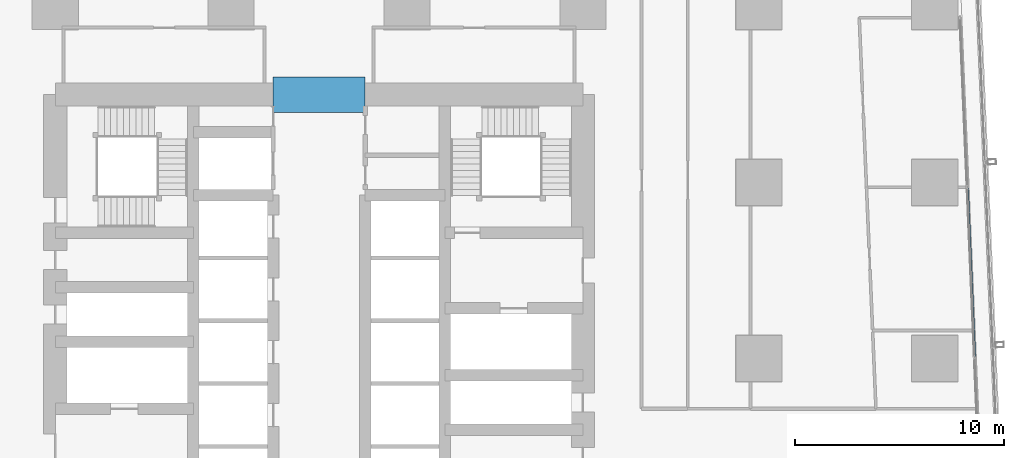
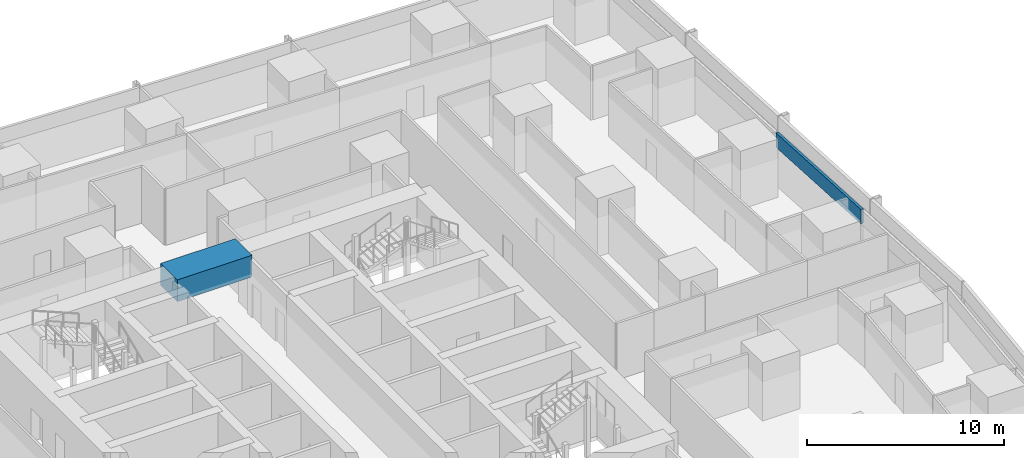
# One storey, part 19 of 44: 1 beam, 1 member, 1 element without a shape of its own.
"""IFC4 building model written with IfcOpenShell, lengths in metres."""

from ifc_helpers import new_model, si_unit, direction, frame, origin, origin_2d, place, context, subcontext, project, spatial, rectangle, hollow_rectangle, extrude, material, material_profile, profile_set, type_object, element, aggregate, save


model = new_model("IFC4")

# Units and contexts
model_context = context("Model", 3, precision=1e-05, world=origin(), true_north=direction((0.0, 1.0)))
body_context = subcontext(model_context, "Body", "Model", "MODEL_VIEW")
ifc_project = project(units=[si_unit("LENGTHUNIT", "METRE"), si_unit("AREAUNIT", "SQUARE_METRE"), si_unit("VOLUMEUNIT", "CUBIC_METRE"), si_unit("PLANEANGLEUNIT", "RADIAN"), si_unit("MASSUNIT", "GRAM", prefix="KILO")], contexts=[model_context])

# Site, building, storey
site_placement = place(None, origin())
site = spatial("IfcSite", under=ifc_project, at=site_placement, CompositionType="ELEMENT")
building_placement = place(site_placement, origin())
building = spatial("IfcBuilding", under=site, at=building_placement, Name="Rekha Terrace Tower", CompositionType="ELEMENT")
storey_placement = place(building_placement, frame((0.0, 0.0, 47.89990234375)))
storey = spatial("IfcBuildingStorey", under=building, at=storey_placement, Name="L11", CompositionType="ELEMENT", Elevation=47.89990234375)

# Curtain wall, member
ifc_material_1 = material(Name="Aluminium framing", Category="aluminium")
curtain_wall_type = type_object("IfcCurtainWallType", Name="CW1 double skin inner glazing", PredefinedType="USERDEFINED", material=ifc_material_1)
curtain_wall_placement = place(storey_placement, origin())
curtain_wall = element("IfcCurtainWall", 1, at=curtain_wall_placement, inside=storey, type_object=curtain_wall_type, Name="CW1 double skin inner glazing", ObjectType="DOUBLE SKIN INNER GLAZING", PredefinedType="USERDEFINED")
ifc_material_2 = material(Name="Insulated aluminium spandrel box", Category="aluminium")
ifc_material_profile_1 = material_profile(ifc_material_2, hollow_rectangle(XDim=0.14990234375, YDim=0.89990234375, WallThickness=0.0029296875, at=origin_2d()), Name="AL SPANDREL BOX 150x900")
ifc_profile_set_1 = profile_set([ifc_material_profile_1], Name="Insulated aluminium spandrel box")
member_type = type_object("IfcMemberType", Name="CW1 spandrel transom 150 x 900", PredefinedType="USERDEFINED", material=ifc_profile_set_1)
member_placement = place(storey_placement, frame((69.08935546875, 33.682861328125, 3.050048828125), z_axis=(-0.042698394831, 0.999088007674, 0.0), x_axis=(-0.999088007674, -0.042698394831, 0.0)))
member = element("IfcMember", 2, at=member_placement, type_object=member_type, Name="CW1 spandrel transom 2", ObjectType="TRANSOM", PredefinedType="USERDEFINED", context=body_context, shape_type="SweptSolid", body=[
    extrude(hollow_rectangle(XDim=0.14990234375, YDim=0.89990234375, WallThickness=0.0029296875, at=origin_2d()), origin(), (0.0, 0.0, 1.0), 8.073486328125),
])
aggregate(curtain_wall, [member])

# Beam
ifc_material_3 = material(Name="Concrete M70", Category="concrete")
ifc_material_profile_2 = material_profile(ifc_material_3, rectangle(XDim=1.699951171875, YDim=1.35009765625, at=origin_2d()), Name="RC 1700x1350")
ifc_profile_set_2 = profile_set([ifc_material_profile_2], Name="Concrete M70")
beam_type = type_object("IfcBeamType", Name="LB1A 1700x1350 diagonally reinforced coupling beam", PredefinedType="LINTEL", material=ifc_profile_set_2)
beam_placement = place(storey_placement, frame((35.60009765625, 46.199951171875, 3.0751953125), z_axis=(1.0, 0.0, 0.0), x_axis=(0.0, 1.0, 0.0)))
element("IfcBeam", 3, at=beam_placement, inside=storey, type_object=beam_type, Name="Coupling beam LB1A N L11", PredefinedType="LINTEL", context=body_context, shape_type="SweptSolid", body=[
    extrude(rectangle(XDim=1.699951171875, YDim=1.35009765625, at=origin_2d()), origin(), (0.0, 0.0, 1.0), 4.39990234375),
])

save(model, "model.ifc")
